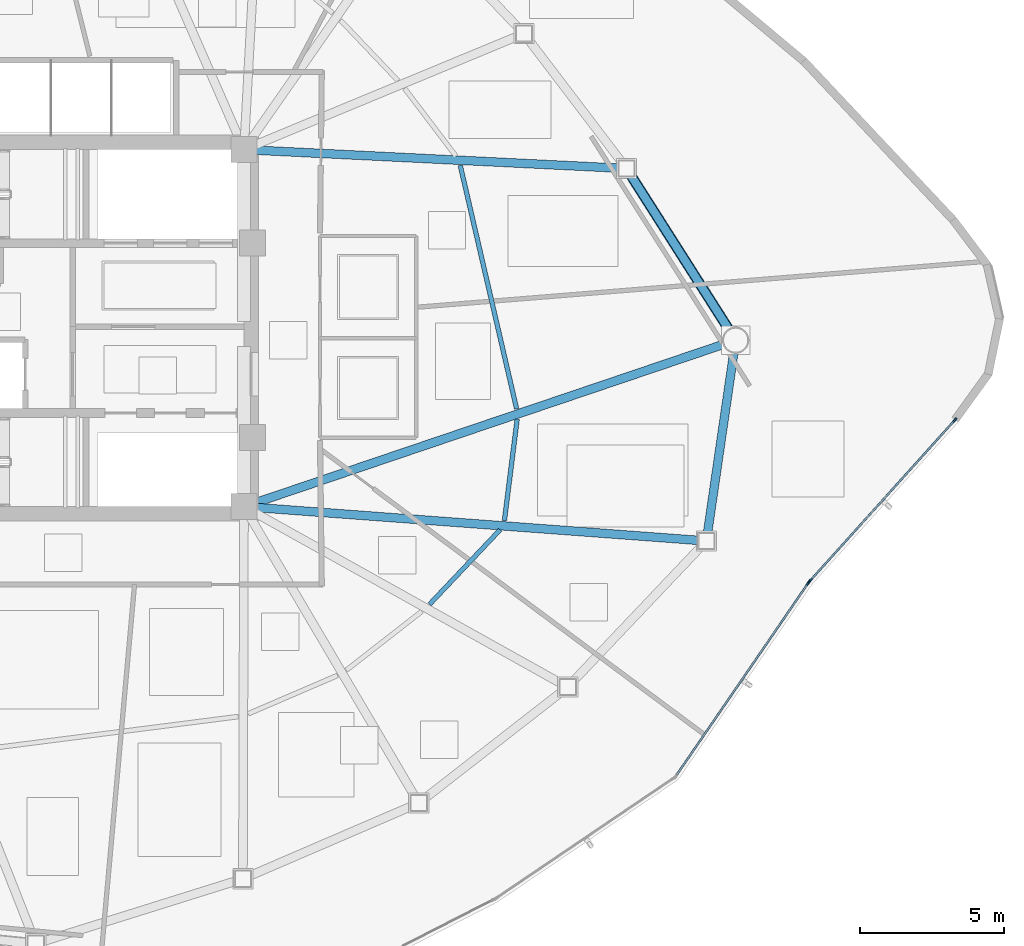
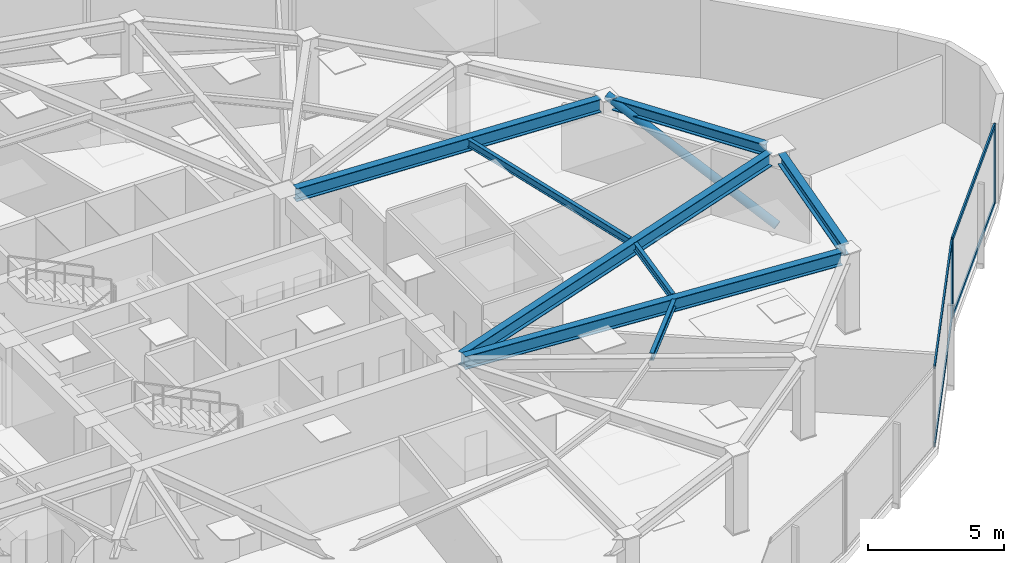
# One storey, part 6 of 17: 8 beams, 8 members, 2 elements without a shape of their own.
"""IFC4 building model written with IfcOpenShell, lengths in metres."""

from ifc_helpers import new_model, si_unit, direction, frame, origin, origin_2d, place, context, subcontext, project, spatial, hollow_rectangle, hollow_circle, i_section, extrude, source, transform, mapped, material, layer, layer_set, material_profile, profile_set, type_object, type_shapes, element, aggregate, save


model = new_model("IFC4")

# Units and contexts
model_context = context("Model", 3, precision=1e-05, world=origin(), true_north=direction((0.0, 1.0)))
body_context = subcontext(model_context, "Body", "Model", "MODEL_VIEW")
ifc_project = project(units=[si_unit("LENGTHUNIT", "METRE"), si_unit("AREAUNIT", "SQUARE_METRE"), si_unit("VOLUMEUNIT", "CUBIC_METRE"), si_unit("PLANEANGLEUNIT", "RADIAN"), si_unit("MASSUNIT", "GRAM", prefix="KILO")], contexts=[model_context])

# Site, building, storey
site_placement = place(None, origin())
site = spatial("IfcSite", under=ifc_project, at=site_placement, CompositionType="ELEMENT")
building_placement = place(site_placement, origin())
building = spatial("IfcBuilding", under=site, at=building_placement, Name="Tavelor Broadcast Tower", CompositionType="ELEMENT")
storey_placement = place(building_placement, frame((0.0, 0.0, 161.800048828125)))
storey = spatial("IfcBuildingStorey", under=building, at=storey_placement, Name="L38", CompositionType="ELEMENT", Elevation=161.800048828125)

# Beams
ifc_material_1 = material(Name="Steel S355", Category="steel")
ifc_material_profile_1 = material_profile(ifc_material_1, i_section(OverallWidth=0.159912109375, OverallDepth=0.330078125, WebThickness=0.007568359375, FlangeThickness=0.011474609375, at=origin_2d()), Name="IPE 330")
ifc_profile_set_1 = profile_set([ifc_material_profile_1], Name="Steel S355")
beam_type_1 = type_object("IfcBeamType", Name="Composite Floor Joist T4 IPE 330", PredefinedType="JOIST", material=ifc_profile_set_1)
beam_1_placement = place(storey_placement, frame((63.04541015625, 35.4072265625, 3.385009765625), z_axis=(0.687334543524, 0.726340984166, 0.0), x_axis=(-0.726340984166, 0.687334543524, 0.0)))
element("IfcBeam", 1, at=beam_1_placement, inside=storey, type_object=beam_type_1, Name="L38 Secondary Composite Floor Joist 11", PredefinedType="JOIST", context=body_context, shape_type="SweptSolid", body=[
    extrude(i_section(OverallWidth=0.159912109375, OverallDepth=0.330078125, WebThickness=0.007568359375, FlangeThickness=0.011474609375, at=origin_2d()), origin(), (0.0, 0.0, 1.0), 3.567626953125),
])
beam_2_placement = place(storey_placement, frame((65.64453125, 38.3095703125, 3.385009765625), z_axis=(0.124499310057, 0.992219694319, 0.0), x_axis=(-0.992219694319, 0.124499310057, 0.0)))
element("IfcBeam", 2, at=beam_2_placement, inside=storey, type_object=beam_type_1, Name="L38 Secondary Composite Floor Joist 12", PredefinedType="JOIST", context=body_context, shape_type="SweptSolid", body=[
    extrude(i_section(OverallWidth=0.159912109375, OverallDepth=0.330078125, WebThickness=0.007568359375, FlangeThickness=0.011474609375, at=origin_2d()), origin(), (0.0, 0.0, 1.0), 3.55712890625),
])
beam_3_placement = place(storey_placement, frame((66.069091796875, 42.195068359375, 3.385009765625), z_axis=(-0.225617102792, 0.974216055569, 0.0), x_axis=(-0.974216055569, -0.225617102792, 0.0)))
element("IfcBeam", 3, at=beam_3_placement, inside=storey, type_object=beam_type_1, Name="L38 Secondary Composite Floor Joist 13", PredefinedType="JOIST", context=body_context, shape_type="SweptSolid", body=[
    extrude(i_section(OverallWidth=0.159912109375, OverallDepth=0.330078125, WebThickness=0.007568359375, FlangeThickness=0.011474609375, at=origin_2d()), origin(), (0.0, 0.0, 1.0), 8.683837890625),
])
ifc_material_profile_2 = material_profile(ifc_material_1, i_section(OverallWidth=0.300048828125, OverallDepth=0.5, WebThickness=0.014404296875, FlangeThickness=0.028076171875, at=origin_2d()), Name="HEB 500")
ifc_profile_set_2 = profile_set([ifc_material_profile_2], Name="Steel S355")
beam_type_2 = type_object("IfcBeamType", Name="Perimeter Spandrel Beam T4 HEB 500", PredefinedType="SPANDREL", material=ifc_profile_set_2)
beam_4_placement = place(storey_placement, frame((72.700927734375, 37.892333984375, 3.300048828125), z_axis=(0.144298223799, 0.989534245293, 0.0), x_axis=(-0.989534245293, 0.144298223799, 0.0)))
element("IfcBeam", 4, at=beam_4_placement, inside=storey, type_object=beam_type_2, Name="L38 Framed-Tube Ring Spandrel 12", PredefinedType="SPANDREL", context=body_context, shape_type="SweptSolid", body=[
    extrude(i_section(OverallWidth=0.300048828125, OverallDepth=0.5, WebThickness=0.014404296875, FlangeThickness=0.028076171875, at=origin_2d()), origin(), (0.0, 0.0, 1.0), 6.3193359375),
])
beam_5_placement = place(storey_placement, frame((73.440673828125, 44.94970703125, 3.300048828125), z_axis=(-0.536287336864, 0.844035480486, 0.0), x_axis=(-0.844035480486, -0.536287336864, 0.0)))
element("IfcBeam", 5, at=beam_5_placement, inside=storey, type_object=beam_type_2, Name="L38 Framed-Tube Ring Spandrel 13", PredefinedType="SPANDREL", context=body_context, shape_type="SweptSolid", body=[
    extrude(i_section(OverallWidth=0.300048828125, OverallDepth=0.5, WebThickness=0.014404296875, FlangeThickness=0.028076171875, at=origin_2d()), origin(), (0.0, 0.0, 1.0), 6.340087890625),
])

# Member
ifc_material_profile_3 = material_profile(ifc_material_1, hollow_circle(Radius=0.177734375, WallThickness=0.01611328125, at=origin_2d()), Name="CHS 355.6x16")
ifc_profile_set_3 = profile_set([ifc_material_profile_3], Name="Steel S355")
member_type_1 = type_object("IfcMemberType", Name="Perimeter Tube Brace T4 CHS 355.6x16", PredefinedType="BRACE", material=ifc_profile_set_3)
member_1_placement = place(storey_placement, frame((73.676025390625, 44.57958984375, 0.0), z_axis=(-0.479238755177, 0.754205232397, 0.448892729904), x_axis=(-0.844021198089, -0.536309814544, 0.0)))
element("IfcMember", 6, at=member_1_placement, inside=storey, type_object=member_type_1, Name="L38 Corner Tube Diagonal Brace 3", PredefinedType="BRACE", context=body_context, shape_type="SweptSolid", body=[
    extrude(hollow_circle(Radius=0.177734375, WallThickness=0.01611328125, at=origin_2d()), origin(), (0.0, 0.0, 1.0), 7.908447265625),
])

# Beams
ifc_material_profile_4 = material_profile(ifc_material_1, i_section(OverallWidth=0.300048828125, OverallDepth=0.590087890625, WebThickness=0.012939453125, FlangeThickness=0.02490234375, at=origin_2d()), Name="HEA 600")
ifc_profile_set_4 = profile_set([ifc_material_profile_4], Name="Steel S355")
beam_type_3 = type_object("IfcBeamType", Name="Radial Floor Girder T4 HEA 600", PredefinedType="BEAM", material=ifc_profile_set_4)
beam_6_placement = place(storey_placement, frame((57.03076171875, 38.76806640625, 3.2548828125), z_axis=(0.997253315852, -0.074066348787, 0.0), x_axis=(0.074066348787, 0.997253315852, 0.0)))
element("IfcBeam", 7, at=beam_6_placement, inside=storey, type_object=beam_type_3, Name="L38 Radial Primary Floor Girder 12", PredefinedType="BEAM", context=body_context, shape_type="SweptSolid", body=[
    extrude(i_section(OverallWidth=0.300048828125, OverallDepth=0.590087890625, WebThickness=0.012939453125, FlangeThickness=0.02490234375, at=origin_2d()), origin(), (0.0, 0.0, 1.0), 15.383544921875),
])
beam_7_placement = place(storey_placement, frame((57.00927734375, 38.9384765625, 3.2548828125), z_axis=(0.947214639948, 0.320600102727, 0.0), x_axis=(-0.320600102727, 0.947214639948, 0.0)))
element("IfcBeam", 8, at=beam_7_placement, inside=storey, type_object=beam_type_3, Name="L38 Radial Primary Floor Girder 13", PredefinedType="BEAM", context=body_context, shape_type="SweptSolid", body=[
    extrude(i_section(OverallWidth=0.300048828125, OverallDepth=0.590087890625, WebThickness=0.012939453125, FlangeThickness=0.02490234375, at=origin_2d()), origin(), (0.0, 0.0, 1.0), 17.15673828125),
])
beam_8_placement = place(storey_placement, frame((57.031494140625, 51.1787109375, 3.2548828125), z_axis=(0.998783784198, -0.049304689662, 0.0), x_axis=(0.049304689662, 0.998783784198, 0.0)))
element("IfcBeam", 9, at=beam_8_placement, inside=storey, type_object=beam_type_3, Name="L38 Radial Primary Floor Girder 14", PredefinedType="BEAM", context=body_context, shape_type="SweptSolid", body=[
    extrude(i_section(OverallWidth=0.300048828125, OverallDepth=0.590087890625, WebThickness=0.012939453125, FlangeThickness=0.02490234375, at=origin_2d()), origin(), (0.0, 0.0, 1.0), 12.582275390625),
])

# Curtain wall, member
ifc_material_2 = material(Name="Architectural Anodized Aluminium", Category="aluminium")
ifc_layer = layer(ifc_material_2, 0.18994140625)
ifc_layer_set = layer_set([ifc_layer], Name="Architectural Anodized Aluminium")
curtain_wall_type = type_object("IfcCurtainWallType", Name="Tower Mid-Zone Acoustic Curtain Wall CW03", PredefinedType="NOTDEFINED", material=ifc_layer_set)
curtain_wall_1_placement = place(storey_placement, origin())
curtain_wall_1 = element("IfcCurtainWall", 10, at=curtain_wall_1_placement, inside=storey, type_object=curtain_wall_type, Name="L38 Curtain Wall CW03 Run 403", PredefinedType="NOTDEFINED")
ifc_material_profile_5 = material_profile(ifc_material_2, hollow_rectangle(XDim=0.068115234375, YDim=0.18994140625, WallThickness=0.02197265625, at=origin_2d()), Name="RHS 68x190x22")
ifc_profile_set_5 = profile_set([ifc_material_profile_5], Name="Architectural Anodized Aluminium")
member_type_2 = type_object("IfcMemberType", Name="CW03 Extruded Aluminium Mullion 68x190", PredefinedType="MULLION", material=ifc_profile_set_5)
shared_shape_1 = source(origin(), body_context, "Body", "SweptSolid", [
    extrude(hollow_rectangle(XDim=0.068115234375, YDim=0.18994140625, WallThickness=0.02197265625, at=origin_2d()), origin(), (0.0, 0.0, 1.0), 3.550048828125),
])
type_shapes(member_type_2, [shared_shape_1])
member_2_placement = place(storey_placement, frame((76.19775390625, 36.146728515625, 0.0), z_axis=(0.0, 0.0, 1.0), x_axis=(-0.824668446632, 0.565616436404, 0.0)))
member_2 = element("IfcMember", 11, at=member_2_placement, type_object=member_type_2, Name="CW03 mullion 2", PredefinedType="MULLION", context=body_context, shape_type="MappedRepresentation", body=[
    mapped(shared_shape_1, transform((0.0, 0.0, 0.0), scale=1.0)),
])

# Curtain wall, members
curtain_wall_2_placement = place(storey_placement, origin())
curtain_wall_2 = element("IfcCurtainWall", 12, at=curtain_wall_2_placement, inside=storey, type_object=curtain_wall_type, Name="L38 Curtain Wall CW03 Run 404", PredefinedType="NOTDEFINED")
member_3_placement = place(storey_placement, frame((76.258056640625, 36.2236328125, 0.0), z_axis=(0.0, 0.0, 1.0), x_axis=(-0.742861466293, 0.669445174677, 0.0)))
member_3 = element("IfcMember", 13, at=member_3_placement, type_object=member_type_2, Name="CW03 mullion 1", PredefinedType="MULLION", context=body_context, shape_type="MappedRepresentation", body=[
    mapped(shared_shape_1, transform((0.0, 0.0, 0.0), scale=1.0)),
])
member_4_placement = place(storey_placement, frame((81.284423828125, 41.801025390625, 0.0), z_axis=(0.0, 0.0, 1.0), x_axis=(-0.742861466293, 0.669445174677, 0.0)))
member_4 = element("IfcMember", 14, at=member_4_placement, type_object=member_type_2, Name="CW03 mullion 2", PredefinedType="MULLION", context=body_context, shape_type="MappedRepresentation", body=[
    mapped(shared_shape_1, transform((0.0, 0.0, 0.0), scale=1.0)),
])

# Member
ifc_material_profile_6 = material_profile(ifc_material_2, hollow_rectangle(XDim=0.068115234375, YDim=0.18994140625, WallThickness=0.02197265625, at=origin_2d()), Name="RHS 68x190x22")
ifc_profile_set_6 = profile_set([ifc_material_profile_6], Name="Architectural Anodized Aluminium")
member_type_3 = type_object("IfcMemberType", Name="CW03 Extruded Aluminium Transom 68x190", PredefinedType="USERDEFINED", material=ifc_profile_set_6)
shared_shape_2 = source(origin(), body_context, "Body", "SweptSolid", [
    extrude(hollow_rectangle(XDim=0.068115234375, YDim=0.18994140625, WallThickness=0.02197265625, at=origin_2d()), origin(), (0.0, 0.0, 1.0), 8.04931640625),
])
member_5_placement = place(storey_placement, frame((71.625732421875, 29.480712890625, 0.033935546875), z_axis=(0.565613232313, 0.824670644217, 0.0), x_axis=(-0.824670644217, 0.565613232313, 0.0)))
member_5 = element("IfcMember", 15, at=member_5_placement, type_object=member_type_3, Name="CW03 transom 1.1", ObjectType="TRANSOM", PredefinedType="USERDEFINED", context=body_context, shape_type="MappedRepresentation", body=[
    mapped(shared_shape_2, transform((0.0, 0.0, 0.0), scale=1.0)),
])

member_6_placement = place(storey_placement, frame((71.625732421875, 29.480712890625, 3.515869140625), z_axis=(0.565613232313, 0.824670644217, 0.0), x_axis=(-0.824670644217, 0.565613232313, 0.0)))
member_6 = element("IfcMember", 16, at=member_6_placement, type_object=member_type_3, Name="CW03 transom 1.2", ObjectType="TRANSOM", PredefinedType="USERDEFINED", context=body_context, shape_type="MappedRepresentation", body=[
    mapped(shared_shape_2, transform((0.0, 0.0, 0.0), scale=1.0)),
])

aggregate(curtain_wall_1, [member_2, member_5, member_6])

shared_shape_3 = source(origin(), body_context, "Body", "SweptSolid", [
    extrude(hollow_rectangle(XDim=0.068115234375, YDim=0.18994140625, WallThickness=0.02197265625, at=origin_2d()), origin(), (0.0, 0.0, 1.0), 7.43994140625),
])
type_shapes(member_type_3, [shared_shape_2, shared_shape_3])
member_7_placement = place(storey_placement, frame((76.281005859375, 36.248779296875, 0.033935546875), z_axis=(0.669432353325, 0.742873020322, 0.0), x_axis=(-0.742873020322, 0.669432353325, 0.0)))
member_7 = element("IfcMember", 17, at=member_7_placement, type_object=member_type_3, Name="CW03 transom 1.1", ObjectType="TRANSOM", PredefinedType="USERDEFINED", context=body_context, shape_type="MappedRepresentation", body=[
    mapped(shared_shape_3, transform((0.0, 0.0, 0.0), scale=1.0)),
])

member_8_placement = place(storey_placement, frame((76.281005859375, 36.248779296875, 3.515869140625), z_axis=(0.669432353325, 0.742873020322, 0.0), x_axis=(-0.742873020322, 0.669432353325, 0.0)))
member_8 = element("IfcMember", 18, at=member_8_placement, type_object=member_type_3, Name="CW03 transom 1.2", ObjectType="TRANSOM", PredefinedType="USERDEFINED", context=body_context, shape_type="MappedRepresentation", body=[
    mapped(shared_shape_3, transform((0.0, 0.0, 0.0), scale=1.0)),
])

aggregate(curtain_wall_2, [member_3, member_4, member_7, member_8])

save(model, "model.ifc")
